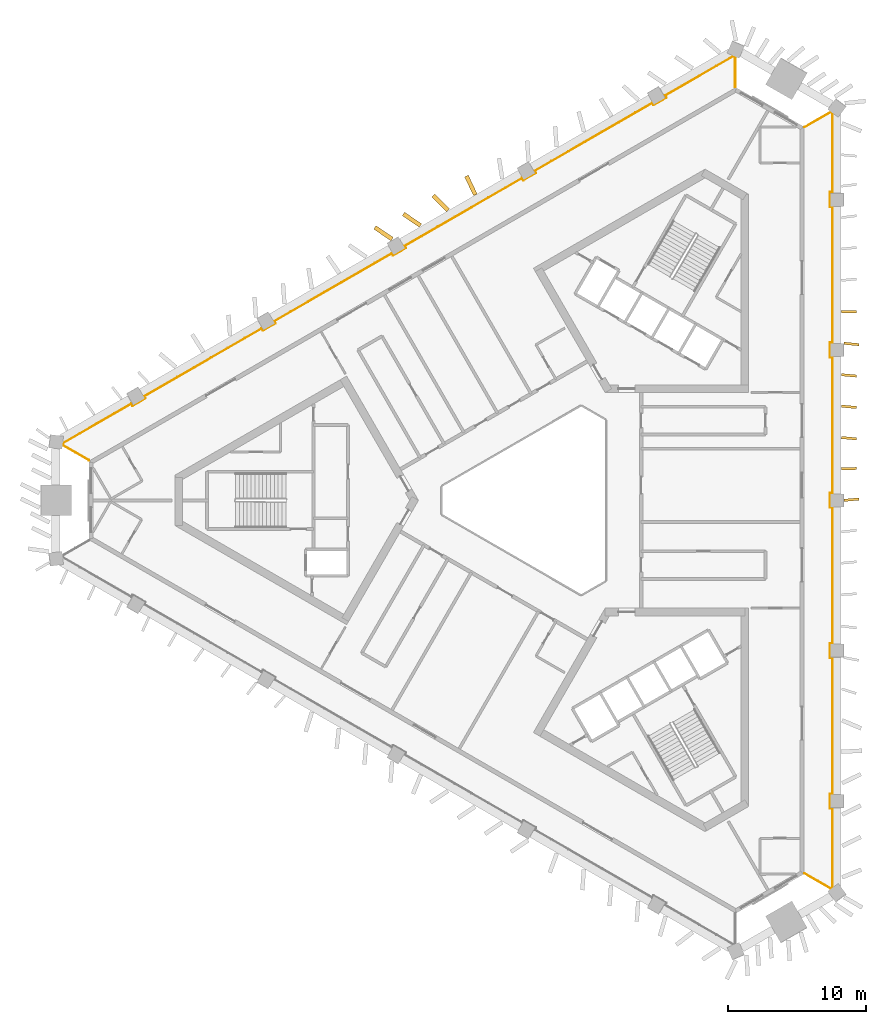
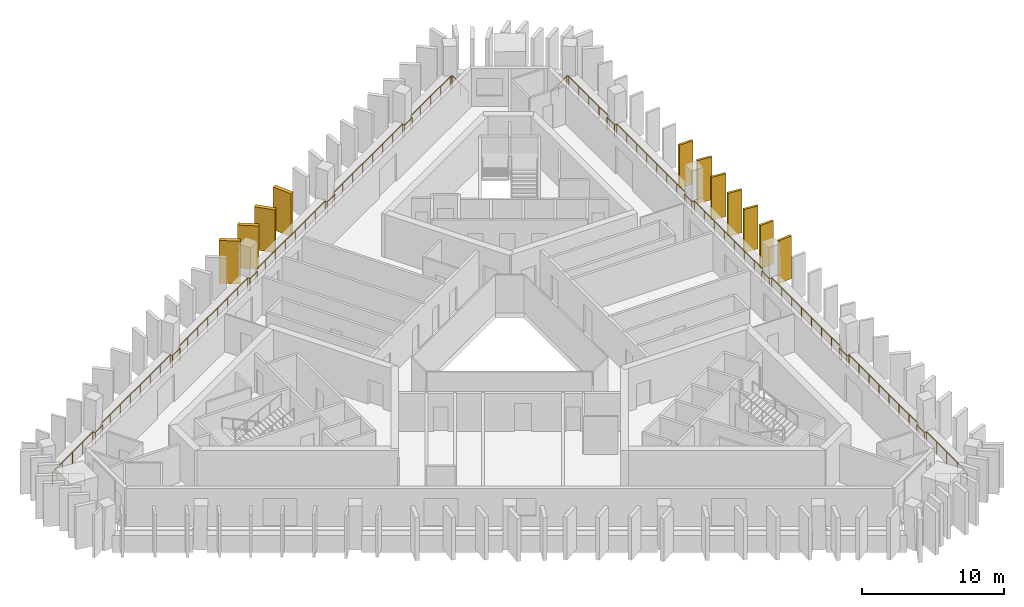
# One storey, part 9 of 10: 11 shading devices, 2 railings.
"""IFC4 building model written with IfcOpenShell, lengths in metres."""

from ifc_helpers import new_model, si_unit, direction, frame, frame_2d, origin, origin_2d, place, context, subcontext, project, spatial, rectangle, circle, extrude, material, layer, layer_set, type_object, element, save


model = new_model("IFC4")

# Units and contexts
model_context = context("Model", 3, precision=1e-05, world=origin(), true_north=direction((0.0, 1.0)))
body_context = subcontext(model_context, "Body", "Model", "MODEL_VIEW")
ifc_project = project(units=[si_unit("LENGTHUNIT", "METRE"), si_unit("AREAUNIT", "SQUARE_METRE"), si_unit("VOLUMEUNIT", "CUBIC_METRE"), si_unit("PLANEANGLEUNIT", "RADIAN"), si_unit("MASSUNIT", "GRAM", prefix="KILO")], contexts=[model_context])

# Site, building, storey
site_placement = place(None, origin())
site = spatial("IfcSite", under=ifc_project, at=site_placement, CompositionType="ELEMENT")
building_placement = place(site_placement, origin())
building = spatial("IfcBuilding", under=site, at=building_placement, Name="Jabali Bay Hotel Tower and Convention Centre", CompositionType="ELEMENT")
storey_placement = place(building_placement, frame((0.0, 0.0, 167.39990234375)))
storey = spatial("IfcBuildingStorey", under=building, at=storey_placement, Name="L40", CompositionType="ELEMENT", Elevation=167.39990234375)

# Railings
ifc_material_1 = material(Name="Glass", Category="glass")
railing_type = type_object("IfcRailingType", Name="Loggia glass guard 1100", PredefinedType="BALUSTRADE", material=ifc_material_1)
railing_1_placement = place(storey_placement, frame((93.926025390625, 106.982666015625, 0.0)))
element("IfcRailing", 1, at=railing_1_placement, inside=storey, type_object=railing_type, Name="Loggia glass guard L40", PredefinedType="BALUSTRADE", context=body_context, shape_type="SweptSolid", body=[
    extrude(circle(Radius=0.02490234375, at=origin_2d()), frame((0.0, 0.0, 1.0751953125), z_axis=(0.866007583809, 0.500030863832, 0.0), x_axis=(-0.495753030475, 0.858598768878, 0.13052619222)), (0.0, 0.0, 1.0), 2.192626953125),
    extrude(circle(Radius=0.02490234375, at=origin_2d()), frame((1.89892578125, 1.096435546875, 1.0751953125), z_axis=(0.800463797728, -0.599381104579, 0.0), x_axis=(0.59425331614, 0.793615718973, 0.13052619222)), (0.0, 0.0, 1.0), 0.126220703125),
    extrude(circle(Radius=0.02490234375, at=origin_2d()), frame((2.0, 1.020751953125, 1.0751953125), z_axis=(0.0, -1.0, 0.0), x_axis=(0.991444861374, 0.0, 0.13052619222)), (0.0, 0.0, 1.0), 5.72900390625),
    extrude(circle(Radius=0.02490234375, at=origin_2d()), frame((2.0, -4.708251953125, 1.0751953125), z_axis=(-1.0, 0.0, 0.0), x_axis=(0.0, -0.991444861374, 0.13052619222)), (0.0, 0.0, 1.0), 0.175048828125),
    extrude(circle(Radius=0.02490234375, at=origin_2d()), frame((1.824951171875, -4.708251953125, 1.0751953125), z_axis=(0.0, -1.0, 0.0), x_axis=(0.991444861374, 0.0, 0.13052619222)), (0.0, 0.0, 1.0), 1.050048828125),
    extrude(circle(Radius=0.02490234375, at=origin_2d()), frame((1.824951171875, -5.75830078125, 1.0751953125), z_axis=(1.0, 0.0, 0.0), x_axis=(0.0, 0.991444861374, 0.13052619222)), (0.0, 0.0, 1.0), 0.175048828125),
    extrude(circle(Radius=0.02490234375, at=origin_2d()), frame((2.0, -5.75830078125, 1.0751953125), z_axis=(0.0, -1.0, 0.0), x_axis=(0.991444861374, 0.0, 0.13052619222)), (0.0, 0.0, 1.0), 9.82470703125),
    extrude(circle(Radius=0.02490234375, at=origin_2d()), frame((2.0, -15.5830078125, 1.0751953125), z_axis=(-1.0, 0.0, 0.0), x_axis=(0.0, -0.991444861374, 0.13052619222)), (0.0, 0.0, 1.0), 0.175048828125),
    extrude(circle(Radius=0.02490234375, at=origin_2d()), frame((1.824951171875, -15.5830078125, 1.0751953125), z_axis=(0.0, -1.0, 0.0), x_axis=(0.991444861374, 0.0, 0.13052619222)), (0.0, 0.0, 1.0), 1.050048828125),
    extrude(circle(Radius=0.02490234375, at=origin_2d()), frame((1.824951171875, -16.633056640625, 1.0751953125), z_axis=(1.0, 0.0, 0.0), x_axis=(0.0, 0.991444861374, 0.13052619222)), (0.0, 0.0, 1.0), 0.175048828125),
    extrude(circle(Radius=0.02490234375, at=origin_2d()), frame((2.0, -16.633056640625, 1.0751953125), z_axis=(0.0, -1.0, 0.0), x_axis=(0.991444861374, 0.0, 0.13052619222)), (0.0, 0.0, 1.0), 9.82470703125),
    extrude(circle(Radius=0.02490234375, at=origin_2d()), frame((2.0, -26.457763671875, 1.0751953125), z_axis=(-1.0, 0.0, 0.0), x_axis=(0.0, -0.991444861374, 0.13052619222)), (0.0, 0.0, 1.0), 0.175048828125),
    extrude(circle(Radius=0.02490234375, at=origin_2d()), frame((1.824951171875, -26.457763671875, 1.0751953125), z_axis=(0.0, -1.0, 0.0), x_axis=(0.991444861374, 0.0, 0.13052619222)), (0.0, 0.0, 1.0), 1.0498046875),
    extrude(circle(Radius=0.02490234375, at=origin_2d()), frame((1.824951171875, -27.507568359375, 1.0751953125), z_axis=(1.0, 0.0, 0.0), x_axis=(0.0, 0.991444861374, 0.13052619222)), (0.0, 0.0, 1.0), 0.175048828125),
    extrude(circle(Radius=0.02490234375, at=origin_2d()), frame((2.0, -27.507568359375, 1.0751953125), z_axis=(0.0, -1.0, 0.0), x_axis=(0.991444861374, 0.0, 0.13052619222)), (0.0, 0.0, 1.0), 9.82470703125),
    extrude(circle(Radius=0.02490234375, at=origin_2d()), frame((2.0, -37.332275390625, 1.0751953125), z_axis=(-1.0, 0.0, 0.0), x_axis=(0.0, -0.991444861374, 0.13052619222)), (0.0, 0.0, 1.0), 0.175048828125),
    extrude(circle(Radius=0.02490234375, at=origin_2d()), frame((1.824951171875, -37.332275390625, 1.0751953125), z_axis=(0.0, -1.0, 0.0), x_axis=(0.991444861374, 0.0, 0.13052619222)), (0.0, 0.0, 1.0), 1.050048828125),
    extrude(circle(Radius=0.02490234375, at=origin_2d()), frame((1.824951171875, -38.38232421875, 1.0751953125), z_axis=(1.0, 0.0, 0.0), x_axis=(0.0, 0.991444861374, 0.13052619222)), (0.0, 0.0, 1.0), 0.175048828125),
    extrude(circle(Radius=0.02490234375, at=origin_2d()), frame((2.0, -38.38232421875, 1.0751953125), z_axis=(0.0, -1.0, 0.0), x_axis=(0.991444861374, 0.0, 0.13052619222)), (0.0, 0.0, 1.0), 9.82470703125),
    extrude(circle(Radius=0.02490234375, at=origin_2d()), frame((2.0, -48.20703125, 1.0751953125), z_axis=(-1.0, 0.0, 0.0), x_axis=(0.0, -0.991444861374, 0.13052619222)), (0.0, 0.0, 1.0), 0.175048828125),
    extrude(circle(Radius=0.02490234375, at=origin_2d()), frame((1.824951171875, -48.20703125, 1.0751953125), z_axis=(0.0, -1.0, 0.0), x_axis=(0.991444861374, 0.0, 0.13052619222)), (0.0, 0.0, 1.0), 1.050048828125),
    extrude(circle(Radius=0.02490234375, at=origin_2d()), frame((1.824951171875, -49.257080078125, 1.0751953125), z_axis=(1.0, 0.0, 0.0), x_axis=(0.0, 0.991444861374, 0.13052619222)), (0.0, 0.0, 1.0), 0.175048828125),
    extrude(circle(Radius=0.02490234375, at=origin_2d()), frame((2.0, -49.257080078125, 1.0751953125), z_axis=(0.0, -1.0, 0.0), x_axis=(0.991444861374, 0.0, 0.13052619222)), (0.0, 0.0, 1.0), 5.72900390625),
    extrude(circle(Radius=0.02490234375, at=origin_2d()), frame((2.0, -54.986083984375, 1.0751953125), z_axis=(-0.800463797728, -0.599381104579, 0.0), x_axis=(0.59425331614, -0.793615718973, 0.13052619222)), (0.0, 0.0, 1.0), 0.126220703125),
    extrude(circle(Radius=0.02490234375, at=origin_2d()), frame((1.89892578125, -55.061767578125, 1.0751953125), z_axis=(-0.866007583809, 0.500030863832, 0.0), x_axis=(-0.495753030475, -0.858598768878, 0.13052619222)), (0.0, 0.0, 1.0), 2.192626953125),
    extrude(circle(Radius=0.02001953125, at=origin_2d()), origin(), (0.0, 0.0, 1.0), 1.050048828125),
    extrude(circle(Radius=0.02001953125, at=origin_2d()), frame((0.949462890625, 0.54833984375, 0.0)), (0.0, 0.0, 1.0), 1.050048828125),
    extrude(circle(Radius=0.02001953125, at=origin_2d()), frame((1.89892578125, 1.096435546875, 0.0)), (0.0, 0.0, 1.0), 1.050048828125),
    extrude(circle(Radius=0.02001953125, at=origin_2d()), frame((2.0, 1.020751953125, 0.0)), (0.0, 0.0, 1.0), 1.050048828125),
    extrude(circle(Radius=0.02001953125, at=origin_2d()), frame((2.0, -0.41162109375, 0.0)), (0.0, 0.0, 1.0), 1.050048828125),
    extrude(circle(Radius=0.02001953125, at=origin_2d()), frame((2.0, -1.84375, 0.0)), (0.0, 0.0, 1.0), 1.050048828125),
    extrude(circle(Radius=0.02001953125, at=origin_2d()), frame((2.0, -3.27587890625, 0.0)), (0.0, 0.0, 1.0), 1.050048828125),
    extrude(circle(Radius=0.02001953125, at=origin_2d()), frame((2.0, -4.708251953125, 0.0)), (0.0, 0.0, 1.0), 1.050048828125),
    extrude(circle(Radius=0.02001953125, at=origin_2d()), frame((1.824951171875, -4.708251953125, 0.0)), (0.0, 0.0, 1.0), 1.050048828125),
    extrude(circle(Radius=0.02001953125, at=origin_2d()), frame((1.824951171875, -5.75830078125, 0.0)), (0.0, 0.0, 1.0), 1.050048828125),
    extrude(circle(Radius=0.02001953125, at=origin_2d()), frame((2.0, -5.75830078125, 0.0)), (0.0, 0.0, 1.0), 1.050048828125),
    extrude(circle(Radius=0.02001953125, at=origin_2d()), frame((2.0, -7.161865234375, 0.0)), (0.0, 0.0, 1.0), 1.050048828125),
    extrude(circle(Radius=0.02001953125, at=origin_2d()), frame((2.0, -8.5654296875, 0.0)), (0.0, 0.0, 1.0), 1.050048828125),
    extrude(circle(Radius=0.02001953125, at=origin_2d()), frame((2.0, -9.968994140625, 0.0)), (0.0, 0.0, 1.0), 1.050048828125),
    extrude(circle(Radius=0.02001953125, at=origin_2d()), frame((2.0, -11.372314453125, 0.0)), (0.0, 0.0, 1.0), 1.050048828125),
    extrude(circle(Radius=0.02001953125, at=origin_2d()), frame((2.0, -12.77587890625, 0.0)), (0.0, 0.0, 1.0), 1.050048828125),
    extrude(circle(Radius=0.02001953125, at=origin_2d()), frame((2.0, -14.179443359375, 0.0)), (0.0, 0.0, 1.0), 1.050048828125),
    extrude(circle(Radius=0.02001953125, at=origin_2d()), frame((2.0, -15.5830078125, 0.0)), (0.0, 0.0, 1.0), 1.050048828125),
    extrude(circle(Radius=0.02001953125, at=origin_2d()), frame((1.824951171875, -15.5830078125, 0.0)), (0.0, 0.0, 1.0), 1.050048828125),
    extrude(circle(Radius=0.02001953125, at=origin_2d()), frame((1.824951171875, -16.633056640625, 0.0)), (0.0, 0.0, 1.0), 1.050048828125),
    extrude(circle(Radius=0.02001953125, at=origin_2d()), frame((2.0, -16.633056640625, 0.0)), (0.0, 0.0, 1.0), 1.050048828125),
    extrude(circle(Radius=0.02001953125, at=origin_2d()), frame((2.0, -18.03662109375, 0.0)), (0.0, 0.0, 1.0), 1.050048828125),
    extrude(circle(Radius=0.02001953125, at=origin_2d()), frame((2.0, -19.440185546875, 0.0)), (0.0, 0.0, 1.0), 1.050048828125),
    extrude(circle(Radius=0.02001953125, at=origin_2d()), frame((2.0, -20.84375, 0.0)), (0.0, 0.0, 1.0), 1.050048828125),
    extrude(circle(Radius=0.02001953125, at=origin_2d()), frame((2.0, -22.2470703125, 0.0)), (0.0, 0.0, 1.0), 1.050048828125),
    extrude(circle(Radius=0.02001953125, at=origin_2d()), frame((2.0, -23.650634765625, 0.0)), (0.0, 0.0, 1.0), 1.050048828125),
    extrude(circle(Radius=0.02001953125, at=origin_2d()), frame((2.0, -25.05419921875, 0.0)), (0.0, 0.0, 1.0), 1.050048828125),
    extrude(circle(Radius=0.02001953125, at=origin_2d()), frame((2.0, -26.457763671875, 0.0)), (0.0, 0.0, 1.0), 1.050048828125),
    extrude(circle(Radius=0.02001953125, at=origin_2d()), frame((1.824951171875, -26.457763671875, 0.0)), (0.0, 0.0, 1.0), 1.050048828125),
    extrude(circle(Radius=0.02001953125, at=origin_2d()), frame((1.824951171875, -27.507568359375, 0.0)), (0.0, 0.0, 1.0), 1.050048828125),
    extrude(circle(Radius=0.02001953125, at=origin_2d()), frame((2.0, -27.507568359375, 0.0)), (0.0, 0.0, 1.0), 1.050048828125),
    extrude(circle(Radius=0.02001953125, at=origin_2d()), frame((2.0, -28.9111328125, 0.0)), (0.0, 0.0, 1.0), 1.050048828125),
    extrude(circle(Radius=0.02001953125, at=origin_2d()), frame((2.0, -30.314697265625, 0.0)), (0.0, 0.0, 1.0), 1.050048828125),
    extrude(circle(Radius=0.02001953125, at=origin_2d()), frame((2.0, -31.71826171875, 0.0)), (0.0, 0.0, 1.0), 1.050048828125),
    extrude(circle(Radius=0.02001953125, at=origin_2d()), frame((2.0, -33.12158203125, 0.0)), (0.0, 0.0, 1.0), 1.050048828125),
    extrude(circle(Radius=0.02001953125, at=origin_2d()), frame((2.0, -34.525146484375, 0.0)), (0.0, 0.0, 1.0), 1.050048828125),
    extrude(circle(Radius=0.02001953125, at=origin_2d()), frame((2.0, -35.9287109375, 0.0)), (0.0, 0.0, 1.0), 1.050048828125),
    extrude(circle(Radius=0.02001953125, at=origin_2d()), frame((2.0, -37.332275390625, 0.0)), (0.0, 0.0, 1.0), 1.050048828125),
    extrude(circle(Radius=0.02001953125, at=origin_2d()), frame((1.824951171875, -37.332275390625, 0.0)), (0.0, 0.0, 1.0), 1.050048828125),
    extrude(circle(Radius=0.02001953125, at=origin_2d()), frame((1.824951171875, -38.38232421875, 0.0)), (0.0, 0.0, 1.0), 1.050048828125),
    extrude(circle(Radius=0.02001953125, at=origin_2d()), frame((2.0, -38.38232421875, 0.0)), (0.0, 0.0, 1.0), 1.050048828125),
    extrude(circle(Radius=0.02001953125, at=origin_2d()), frame((2.0, -39.785888671875, 0.0)), (0.0, 0.0, 1.0), 1.050048828125),
    extrude(circle(Radius=0.02001953125, at=origin_2d()), frame((2.0, -41.189453125, 0.0)), (0.0, 0.0, 1.0), 1.050048828125),
    extrude(circle(Radius=0.02001953125, at=origin_2d()), frame((2.0, -42.593017578125, 0.0)), (0.0, 0.0, 1.0), 1.050048828125),
    extrude(circle(Radius=0.02001953125, at=origin_2d()), frame((2.0, -43.996337890625, 0.0)), (0.0, 0.0, 1.0), 1.050048828125),
    extrude(circle(Radius=0.02001953125, at=origin_2d()), frame((2.0, -45.39990234375, 0.0)), (0.0, 0.0, 1.0), 1.050048828125),
    extrude(circle(Radius=0.02001953125, at=origin_2d()), frame((2.0, -46.803466796875, 0.0)), (0.0, 0.0, 1.0), 1.050048828125),
    extrude(circle(Radius=0.02001953125, at=origin_2d()), frame((2.0, -48.20703125, 0.0)), (0.0, 0.0, 1.0), 1.050048828125),
    extrude(circle(Radius=0.02001953125, at=origin_2d()), frame((1.824951171875, -48.20703125, 0.0)), (0.0, 0.0, 1.0), 1.050048828125),
    extrude(circle(Radius=0.02001953125, at=origin_2d()), frame((1.824951171875, -49.257080078125, 0.0)), (0.0, 0.0, 1.0), 1.050048828125),
    extrude(circle(Radius=0.02001953125, at=origin_2d()), frame((2.0, -49.257080078125, 0.0)), (0.0, 0.0, 1.0), 1.050048828125),
    extrude(circle(Radius=0.02001953125, at=origin_2d()), frame((2.0, -50.689453125, 0.0)), (0.0, 0.0, 1.0), 1.050048828125),
    extrude(circle(Radius=0.02001953125, at=origin_2d()), frame((2.0, -52.12158203125, 0.0)), (0.0, 0.0, 1.0), 1.050048828125),
    extrude(circle(Radius=0.02001953125, at=origin_2d()), frame((2.0, -53.5537109375, 0.0)), (0.0, 0.0, 1.0), 1.050048828125),
    extrude(circle(Radius=0.02001953125, at=origin_2d()), frame((2.0, -54.986083984375, 0.0)), (0.0, 0.0, 1.0), 1.050048828125),
    extrude(circle(Radius=0.02001953125, at=origin_2d()), frame((1.89892578125, -55.061767578125, 0.0)), (0.0, 0.0, 1.0), 1.050048828125),
    extrude(circle(Radius=0.02001953125, at=origin_2d()), frame((0.949462890625, -54.513671875, 0.0)), (0.0, 0.0, 1.0), 1.050048828125),
    extrude(circle(Radius=0.02001953125, at=origin_2d()), frame((0.0, -53.96533203125, 0.0)), (0.0, 0.0, 1.0), 1.050048828125),
])
railing_2_placement = place(storey_placement, frame((42.169189453125, 82.899169921875, 0.0)))
element("IfcRailing", 2, at=railing_2_placement, inside=storey, type_object=railing_type, Name="Loggia glass guard L40", PredefinedType="BALUSTRADE", context=body_context, shape_type="SweptSolid", body=[
    extrude(circle(Radius=0.02490234375, at=origin_2d()), frame((0.0, 0.0, 1.0751953125), z_axis=(-0.866007583809, 0.500030863832, 0.0), x_axis=(-0.495753030475, -0.858598768878, 0.13052619222)), (0.0, 0.0, 1.0), 2.192626953125),
    extrude(circle(Radius=0.02490234375, at=origin_2d()), frame((-1.89892578125, 1.096435546875, 1.0751953125), z_axis=(0.119984594018, 0.992775753732, 0.0), x_axis=(-0.984282419534, 0.118958109183, 0.13052619222)), (0.0, 0.0, 1.0), 0.126220703125),
    extrude(circle(Radius=0.02490234375, at=origin_2d()), frame((-1.8837890625, 1.2216796875, 1.0751953125), z_axis=(0.866023783073, 0.500002807145, 0.0), x_axis=(-0.495725213816, 0.858614829555, 0.13052619222)), (0.0, 0.0, 1.0), 5.72900390625),
    extrude(circle(Radius=0.02490234375, at=origin_2d()), frame((3.07763671875, 4.086181640625, 1.0751953125), z_axis=(0.499440622861, -0.866348119543, 0.0), x_axis=(0.858936391282, 0.495167839097, 0.13052619222)), (0.0, 0.0, 1.0), 0.175048828125),
    extrude(circle(Radius=0.02490234375, at=origin_2d()), frame((3.1650390625, 3.9345703125, 1.0751953125), z_axis=(0.866088799389, 0.499890179513, 0.0), x_axis=(-0.495613549729, 0.858679289647, 0.13052619222)), (0.0, 0.0, 1.0), 1.050048828125),
    extrude(circle(Radius=0.02490234375, at=origin_2d()), frame((4.074462890625, 4.45947265625, 1.0751953125), z_axis=(-0.500486622847, 0.865744269604, 0.0), x_axis=(-0.858337707362, -0.496204890408, 0.13052619222)), (0.0, 0.0, 1.0), 0.175048828125),
    extrude(circle(Radius=0.02490234375, at=origin_2d()), frame((3.98681640625, 4.611083984375, 1.0751953125), z_axis=(0.866027924134, 0.499995634601, 0.0), x_axis=(-0.495718102635, 0.858618935189, 0.13052619222)), (0.0, 0.0, 1.0), 9.82470703125),
    extrude(circle(Radius=0.02490234375, at=origin_2d()), frame((12.495361328125, 9.5234375, 1.0751953125), z_axis=(0.499440622861, -0.866348119543, 0.0), x_axis=(0.858936391282, 0.495167839097, 0.13052619222)), (0.0, 0.0, 1.0), 0.175048828125),
    extrude(circle(Radius=0.02490234375, at=origin_2d()), frame((12.582763671875, 9.371826171875, 1.0751953125), z_axis=(0.865988129768, 0.500064554934, 0.0), x_axis=(-0.495786433345, 0.858579481269, 0.13052619222)), (0.0, 0.0, 1.0), 1.050048828125),
    extrude(circle(Radius=0.02490234375, at=origin_2d()), frame((13.4921875, 9.89697265625, 1.0751953125), z_axis=(-0.500044870432, 0.865999496279, 0.0), x_axis=(-0.858590750538, -0.495766917246, 0.13052619222)), (0.0, 0.0, 1.0), 0.1748046875),
    extrude(circle(Radius=0.02490234375, at=origin_2d()), frame((13.40478515625, 10.04833984375, 1.0751953125), z_axis=(0.866021711681, 0.500006394856, 0.0), x_axis=(-0.495728770834, 0.858612775884, 0.13052619222)), (0.0, 0.0, 1.0), 9.824462890625),
    extrude(circle(Radius=0.02490234375, at=origin_2d()), frame((21.9130859375, 14.960693359375, 1.0751953125), z_axis=(0.501091290591, -0.865394429433, 0.0), x_axis=(0.857990860123, 0.496804385136, 0.13052619222)), (0.0, 0.0, 1.0), 0.1748046875),
    extrude(circle(Radius=0.02490234375, at=origin_2d()), frame((22.000732421875, 14.809326171875, 1.0751953125), z_axis=(0.866030680601, 0.499990860175, 0.0), x_axis=(-0.495713369054, 0.858621668074, 0.13052619222)), (0.0, 0.0, 1.0), 1.0498046875),
    extrude(circle(Radius=0.02490234375, at=origin_2d()), frame((22.909912109375, 15.334228515625, 1.0751953125), z_axis=(-0.499440622861, 0.866348119543, 0.0), x_axis=(-0.858936391282, -0.495167839097, 0.13052619222)), (0.0, 0.0, 1.0), 0.175048828125),
    extrude(circle(Radius=0.02490234375, at=origin_2d()), frame((22.822509765625, 15.48583984375, 1.0751953125), z_axis=(0.866021711681, 0.500006394856, 0.0), x_axis=(-0.495728770834, 0.858612775884, 0.13052619222)), (0.0, 0.0, 1.0), 9.824462890625),
    extrude(circle(Radius=0.02490234375, at=origin_2d()), frame((31.330810546875, 20.398193359375, 1.0751953125), z_axis=(0.500486622847, -0.865744269604, 0.0), x_axis=(0.858337707362, 0.496204890408, 0.13052619222)), (0.0, 0.0, 1.0), 0.175048828125),
    extrude(circle(Radius=0.02490234375, at=origin_2d()), frame((31.41845703125, 20.24658203125, 1.0751953125), z_axis=(0.86592997719, 0.500165247297, 0.0), x_axis=(-0.495886264271, 0.858521826194, 0.13052619222)), (0.0, 0.0, 1.0), 1.050048828125),
    extrude(circle(Radius=0.02490234375, at=origin_2d()), frame((32.32763671875, 20.771728515625, 1.0751953125), z_axis=(-0.500044870432, 0.865999496279, 0.0), x_axis=(-0.858590750538, -0.495766917246, 0.13052619222)), (0.0, 0.0, 1.0), 0.1748046875),
    extrude(circle(Radius=0.02490234375, at=origin_2d()), frame((32.240234375, 20.923095703125, 1.0751953125), z_axis=(0.866027924134, 0.499995634601, 0.0), x_axis=(-0.495718102635, 0.858618935189, 0.13052619222)), (0.0, 0.0, 1.0), 9.82470703125),
    extrude(circle(Radius=0.02490234375, at=origin_2d()), frame((40.748779296875, 25.83544921875, 1.0751953125), z_axis=(0.500044870432, -0.865999496279, 0.0), x_axis=(0.858590750538, 0.495766917246, 0.13052619222)), (0.0, 0.0, 1.0), 0.1748046875),
    extrude(circle(Radius=0.02490234375, at=origin_2d()), frame((40.836181640625, 25.68408203125, 1.0751953125), z_axis=(0.866088799389, 0.499890179513, 0.0), x_axis=(-0.495613549729, 0.858679289647, 0.13052619222)), (0.0, 0.0, 1.0), 1.050048828125),
    extrude(circle(Radius=0.02490234375, at=origin_2d()), frame((41.74560546875, 26.208984375, 1.0751953125), z_axis=(-0.500486622847, 0.865744269604, 0.0), x_axis=(-0.858337707362, -0.496204890408, 0.13052619222)), (0.0, 0.0, 1.0), 0.175048828125),
    extrude(circle(Radius=0.02490234375, at=origin_2d()), frame((41.657958984375, 26.360595703125, 1.0751953125), z_axis=(0.866023783073, 0.500002807145, 0.0), x_axis=(-0.495725213816, 0.858614829555, 0.13052619222)), (0.0, 0.0, 1.0), 5.72900390625),
    extrude(circle(Radius=0.02490234375, at=origin_2d()), frame((46.619384765625, 29.22509765625, 1.0751953125), z_axis=(0.91884459615, -0.394619573926, 0.0), x_axis=(0.391243548766, 0.910983753254, 0.13052619222)), (0.0, 0.0, 1.0), 0.126220703125),
    extrude(circle(Radius=0.02490234375, at=origin_2d()), frame((46.7353515625, 29.17529296875, 1.0751953125), z_axis=(0.0, -1.0, 0.0), x_axis=(0.991444861374, 0.0, 0.13052619222)), (0.0, 0.0, 1.0), 2.192626953125),
    extrude(circle(Radius=0.02001953125, at=origin_2d()), origin(), (0.0, 0.0, 1.0), 1.050048828125),
    extrude(circle(Radius=0.02001953125, at=origin_2d()), frame((-0.949462890625, 0.54833984375, 0.0)), (0.0, 0.0, 1.0), 1.050048828125),
    extrude(circle(Radius=0.02001953125, at=origin_2d()), frame((-1.89892578125, 1.096435546875, 0.0)), (0.0, 0.0, 1.0), 1.050048828125),
    extrude(circle(Radius=0.02001953125, at=origin_2d()), frame((-1.8837890625, 1.2216796875, 0.0)), (0.0, 0.0, 1.0), 1.050048828125),
    extrude(circle(Radius=0.02001953125, at=origin_2d()), frame((-0.6435546875, 1.937744140625, 0.0)), (0.0, 0.0, 1.0), 1.050048828125),
    extrude(circle(Radius=0.02001953125, at=origin_2d()), frame((0.596923828125, 2.65380859375, 0.0)), (0.0, 0.0, 1.0), 1.050048828125),
    extrude(circle(Radius=0.02001953125, at=origin_2d()), frame((1.83740234375, 3.3701171875, 0.0)), (0.0, 0.0, 1.0), 1.050048828125),
    extrude(circle(Radius=0.02001953125, at=origin_2d()), frame((3.07763671875, 4.086181640625, 0.0)), (0.0, 0.0, 1.0), 1.050048828125),
    extrude(circle(Radius=0.02001953125, at=origin_2d()), frame((3.1650390625, 3.9345703125, 0.0)), (0.0, 0.0, 1.0), 1.050048828125),
    extrude(circle(Radius=0.02001953125, at=origin_2d()), frame((4.074462890625, 4.45947265625, 0.0)), (0.0, 0.0, 1.0), 1.050048828125),
    extrude(circle(Radius=0.02001953125, at=origin_2d()), frame((3.98681640625, 4.611083984375, 0.0)), (0.0, 0.0, 1.0), 1.050048828125),
    extrude(circle(Radius=0.02001953125, at=origin_2d()), frame((5.202392578125, 5.312744140625, 0.0)), (0.0, 0.0, 1.0), 1.050048828125),
    extrude(circle(Radius=0.02001953125, at=origin_2d()), frame((6.417724609375, 6.0146484375, 0.0)), (0.0, 0.0, 1.0), 1.050048828125),
    extrude(circle(Radius=0.02001953125, at=origin_2d()), frame((7.63330078125, 6.71630859375, 0.0)), (0.0, 0.0, 1.0), 1.050048828125),
    extrude(circle(Radius=0.02001953125, at=origin_2d()), frame((8.848876953125, 7.418212890625, 0.0)), (0.0, 0.0, 1.0), 1.050048828125),
    extrude(circle(Radius=0.02001953125, at=origin_2d()), frame((10.064453125, 8.119873046875, 0.0)), (0.0, 0.0, 1.0), 1.050048828125),
    extrude(circle(Radius=0.02001953125, at=origin_2d()), frame((11.27978515625, 8.82177734375, 0.0)), (0.0, 0.0, 1.0), 1.050048828125),
    extrude(circle(Radius=0.02001953125, at=origin_2d()), frame((12.495361328125, 9.5234375, 0.0)), (0.0, 0.0, 1.0), 1.050048828125),
    extrude(circle(Radius=0.02001953125, at=origin_2d()), frame((12.582763671875, 9.371826171875, 0.0)), (0.0, 0.0, 1.0), 1.050048828125),
    extrude(circle(Radius=0.02001953125, at=origin_2d()), frame((13.4921875, 9.89697265625, 0.0)), (0.0, 0.0, 1.0), 1.050048828125),
    extrude(circle(Radius=0.02001953125, at=origin_2d()), frame((13.40478515625, 10.04833984375, 0.0)), (0.0, 0.0, 1.0), 1.050048828125),
    extrude(circle(Radius=0.02001953125, at=origin_2d()), frame((14.620361328125, 10.75, 0.0)), (0.0, 0.0, 1.0), 1.050048828125),
    extrude(circle(Radius=0.02001953125, at=origin_2d()), frame((15.835693359375, 11.451904296875, 0.0)), (0.0, 0.0, 1.0), 1.050048828125),
    extrude(circle(Radius=0.02001953125, at=origin_2d()), frame((17.05126953125, 12.153564453125, 0.0)), (0.0, 0.0, 1.0), 1.050048828125),
    extrude(circle(Radius=0.02001953125, at=origin_2d()), frame((18.2666015625, 12.85546875, 0.0)), (0.0, 0.0, 1.0), 1.050048828125),
    extrude(circle(Radius=0.02001953125, at=origin_2d()), frame((19.482177734375, 13.55712890625, 0.0)), (0.0, 0.0, 1.0), 1.050048828125),
    extrude(circle(Radius=0.02001953125, at=origin_2d()), frame((20.697509765625, 14.259033203125, 0.0)), (0.0, 0.0, 1.0), 1.050048828125),
    extrude(circle(Radius=0.02001953125, at=origin_2d()), frame((21.9130859375, 14.960693359375, 0.0)), (0.0, 0.0, 1.0), 1.050048828125),
    extrude(circle(Radius=0.02001953125, at=origin_2d()), frame((22.000732421875, 14.809326171875, 0.0)), (0.0, 0.0, 1.0), 1.050048828125),
    extrude(circle(Radius=0.02001953125, at=origin_2d()), frame((22.909912109375, 15.334228515625, 0.0)), (0.0, 0.0, 1.0), 1.050048828125),
    extrude(circle(Radius=0.02001953125, at=origin_2d()), frame((22.822509765625, 15.48583984375, 0.0)), (0.0, 0.0, 1.0), 1.050048828125),
    extrude(circle(Radius=0.02001953125, at=origin_2d()), frame((24.0380859375, 16.1875, 0.0)), (0.0, 0.0, 1.0), 1.050048828125),
    extrude(circle(Radius=0.02001953125, at=origin_2d()), frame((25.25341796875, 16.889404296875, 0.0)), (0.0, 0.0, 1.0), 1.050048828125),
    extrude(circle(Radius=0.02001953125, at=origin_2d()), frame((26.468994140625, 17.591064453125, 0.0)), (0.0, 0.0, 1.0), 1.050048828125),
    extrude(circle(Radius=0.02001953125, at=origin_2d()), frame((27.684326171875, 18.29296875, 0.0)), (0.0, 0.0, 1.0), 1.050048828125),
    extrude(circle(Radius=0.02001953125, at=origin_2d()), frame((28.89990234375, 18.99462890625, 0.0)), (0.0, 0.0, 1.0), 1.050048828125),
    extrude(circle(Radius=0.02001953125, at=origin_2d()), frame((30.115234375, 19.696533203125, 0.0)), (0.0, 0.0, 1.0), 1.050048828125),
    extrude(circle(Radius=0.02001953125, at=origin_2d()), frame((31.330810546875, 20.398193359375, 0.0)), (0.0, 0.0, 1.0), 1.050048828125),
    extrude(circle(Radius=0.02001953125, at=origin_2d()), frame((31.41845703125, 20.24658203125, 0.0)), (0.0, 0.0, 1.0), 1.050048828125),
    extrude(circle(Radius=0.02001953125, at=origin_2d()), frame((32.32763671875, 20.771728515625, 0.0)), (0.0, 0.0, 1.0), 1.050048828125),
    extrude(circle(Radius=0.02001953125, at=origin_2d()), frame((32.240234375, 20.923095703125, 0.0)), (0.0, 0.0, 1.0), 1.050048828125),
    extrude(circle(Radius=0.02001953125, at=origin_2d()), frame((33.455810546875, 21.624755859375, 0.0)), (0.0, 0.0, 1.0), 1.050048828125),
    extrude(circle(Radius=0.02001953125, at=origin_2d()), frame((34.671142578125, 22.32666015625, 0.0)), (0.0, 0.0, 1.0), 1.050048828125),
    extrude(circle(Radius=0.02001953125, at=origin_2d()), frame((35.88671875, 23.0283203125, 0.0)), (0.0, 0.0, 1.0), 1.050048828125),
    extrude(circle(Radius=0.02001953125, at=origin_2d()), frame((37.102294921875, 23.730224609375, 0.0)), (0.0, 0.0, 1.0), 1.050048828125),
    extrude(circle(Radius=0.02001953125, at=origin_2d()), frame((38.31787109375, 24.431884765625, 0.0)), (0.0, 0.0, 1.0), 1.050048828125),
    extrude(circle(Radius=0.02001953125, at=origin_2d()), frame((39.533203125, 25.1337890625, 0.0)), (0.0, 0.0, 1.0), 1.050048828125),
    extrude(circle(Radius=0.02001953125, at=origin_2d()), frame((40.748779296875, 25.83544921875, 0.0)), (0.0, 0.0, 1.0), 1.050048828125),
    extrude(circle(Radius=0.02001953125, at=origin_2d()), frame((40.836181640625, 25.68408203125, 0.0)), (0.0, 0.0, 1.0), 1.050048828125),
    extrude(circle(Radius=0.02001953125, at=origin_2d()), frame((41.74560546875, 26.208984375, 0.0)), (0.0, 0.0, 1.0), 1.050048828125),
    extrude(circle(Radius=0.02001953125, at=origin_2d()), frame((41.657958984375, 26.360595703125, 0.0)), (0.0, 0.0, 1.0), 1.050048828125),
    extrude(circle(Radius=0.02001953125, at=origin_2d()), frame((42.8984375, 27.07666015625, 0.0)), (0.0, 0.0, 1.0), 1.050048828125),
    extrude(circle(Radius=0.02001953125, at=origin_2d()), frame((44.138671875, 27.79296875, 0.0)), (0.0, 0.0, 1.0), 1.050048828125),
    extrude(circle(Radius=0.02001953125, at=origin_2d()), frame((45.37890625, 28.509033203125, 0.0)), (0.0, 0.0, 1.0), 1.050048828125),
    extrude(circle(Radius=0.02001953125, at=origin_2d()), frame((46.619384765625, 29.22509765625, 0.0)), (0.0, 0.0, 1.0), 1.050048828125),
    extrude(circle(Radius=0.02001953125, at=origin_2d()), frame((46.7353515625, 29.17529296875, 0.0)), (0.0, 0.0, 1.0), 1.050048828125),
    extrude(circle(Radius=0.02001953125, at=origin_2d()), frame((46.7353515625, 28.0791015625, 0.0)), (0.0, 0.0, 1.0), 1.050048828125),
    extrude(circle(Radius=0.02001953125, at=origin_2d()), frame((46.7353515625, 26.982666015625, 0.0)), (0.0, 0.0, 1.0), 1.050048828125),
])

# Shading devices
ifc_material_2 = material(Name="Precast concrete C60", Category="concrete")
ifc_layer_1 = layer(ifc_material_2, 0.179931640625)
ifc_layer_set_1 = layer_set([ifc_layer_1], Name="Precast concrete C60")
shading_device_type_1 = type_object("IfcShadingDeviceType", Name="Precast fin 3680 x 1100", PredefinedType="USERDEFINED", material=ifc_layer_set_1)
shading_device_1_placement = place(storey_placement, frame((96.75927734375, 80.0, 0.010009765625), z_axis=(0.0, 0.0, 1.0), x_axis=(0.995788842485, 0.091676502886, 0.0)))
element("IfcShadingDevice", 3, at=shading_device_1_placement, inside=storey, type_object=shading_device_type_1, Name="Fin L40 012", ObjectType="FIN", PredefinedType="USERDEFINED", context=body_context, shape_type="SweptSolid", body=[
    extrude(rectangle(XDim=1.099853515625, YDim=0.179931640625, at=frame_2d((0.5498046875, 0.0))), origin(), (0.0, 0.0, 1.0), 3.68017578125),
])
for number, where, z_axis, x_axis, name in (
    (4, (96.571533203125, 82.271728515625, 0.010009765625), (0.0, 0.0, 1.0), (0.999438235969, 0.033514362343, 0.0), "Fin L40 013"),
    (5, (96.57666015625, 84.54345703125, 0.010009765625), (0.0, 0.0, 1.0), (0.995851258694, -0.090995991991, 0.0), "Fin L40 014"),
    (6, (96.57666015625, 86.8154296875, 0.010009765625), (0.0, 0.0, 1.0), (0.995831122783, -0.091216089027, 0.0), "Fin L40 015"),
    (7, (96.57666015625, 89.087158203125, 0.010009765625), (0.0, 0.0, 1.0), (0.995831122783, -0.091216089027, 0.0), "Fin L40 016"),
    (8, (96.759033203125, 91.35888671875, 0.010009765625), (0.0, 0.0, 1.0), (0.995810939046, -0.091436172696, 0.0), "Fin L40 017"),
):
    element("IfcShadingDevice", number, at=place(storey_placement, frame(where, z_axis=z_axis, x_axis=x_axis)), inside=storey, type_object=shading_device_type_1, Name=name, ObjectType="FIN", PredefinedType="USERDEFINED", context=body_context, shape_type="SweptSolid", body=[
        extrude(rectangle(XDim=1.10009765625, YDim=0.179931640625, at=frame_2d((0.550048828125, 0.0))), origin(), (0.0, 0.0, 1.0), 3.68017578125),
    ])
shading_device_2_placement = place(storey_placement, frame((96.5693359375, 93.630615234375, 0.010009765625), z_axis=(0.0, 0.0, 1.0), x_axis=(0.999950114659, 0.009988402921, 0.0)))
element("IfcShadingDevice", 9, at=shading_device_2_placement, inside=storey, type_object=shading_device_type_1, Name="Fin L40 018", ObjectType="FIN", PredefinedType="USERDEFINED", context=body_context, shape_type="SweptSolid", body=[
    extrude(rectangle(XDim=1.099853515625, YDim=0.179931640625, at=frame_2d((0.5498046875, 0.0))), origin(), (0.0, 0.0, 1.0), 3.68017578125),
])
ifc_layer_2 = layer(ifc_material_2, 0.300048828125)
ifc_layer_set_2 = layer_set([ifc_layer_2], Name="Precast concrete C60")
shading_device_type_2 = type_object("IfcShadingDeviceType", Name="Precast fin 3680 x 1500", PredefinedType="USERDEFINED", material=ifc_layer_set_2)
for number, where, z_axis, x_axis, name in (
    (10, (70.112060546875, 102.096923828125, 0.010009765625), (0.0, 0.0, 1.0), (-0.429023615799, 0.903293273022, 0.0), "Fin L40 042"),
    (11, (68.13134765625, 100.98388671875, 0.010009765625), (0.0, 0.0, 1.0), (-0.70506937443, 0.709138334347, 0.0), "Fin L40 043"),
    (12, (66.150390625, 99.87158203125, 0.010009765625), (0.0, 0.0, 1.0), (-0.828578765843, 0.559872511196, 0.0), "Fin L40 044"),
    (13, (64.091796875, 98.893798828125, 0.010009765625), (0.0, 0.0, 1.0), (-0.828654266351, 0.55976075859, 0.0), "Fin L40 045"),
):
    element("IfcShadingDevice", number, at=place(storey_placement, frame(where, z_axis=z_axis, x_axis=x_axis)), inside=storey, type_object=shading_device_type_2, Name=name, ObjectType="FIN", PredefinedType="USERDEFINED", context=body_context, shape_type="SweptSolid", body=[
        extrude(rectangle(XDim=1.5, YDim=0.300048828125, at=frame_2d((0.75, 0.0))), origin(), (0.0, 0.0, 1.0), 3.68017578125),
    ])

save(model, "model.ifc")
